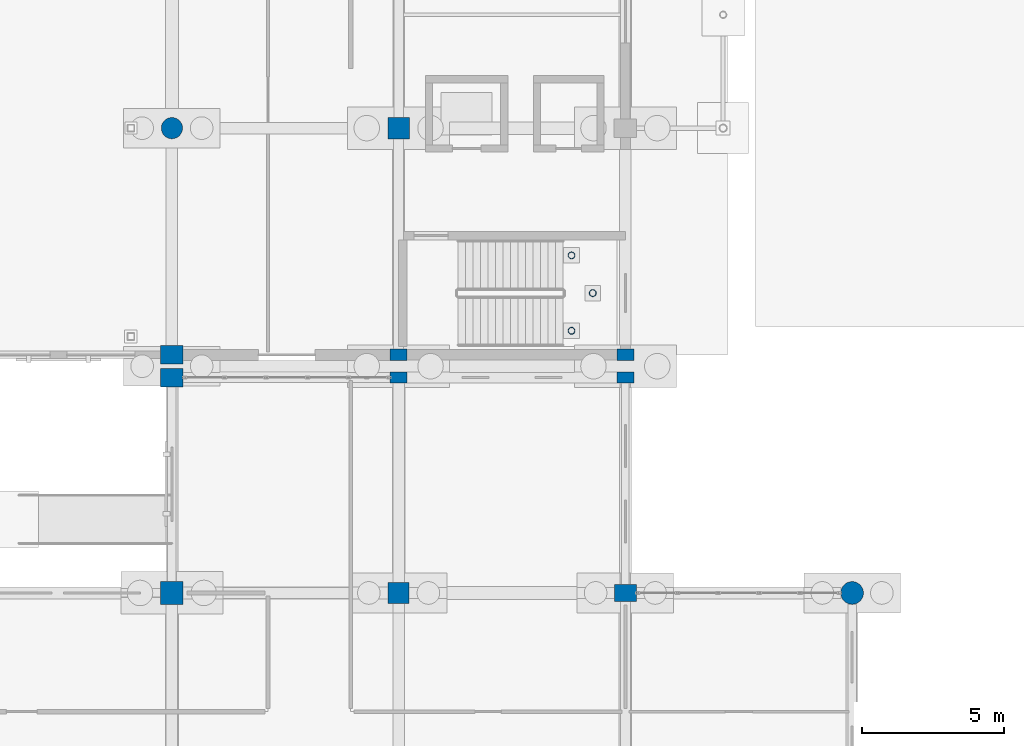
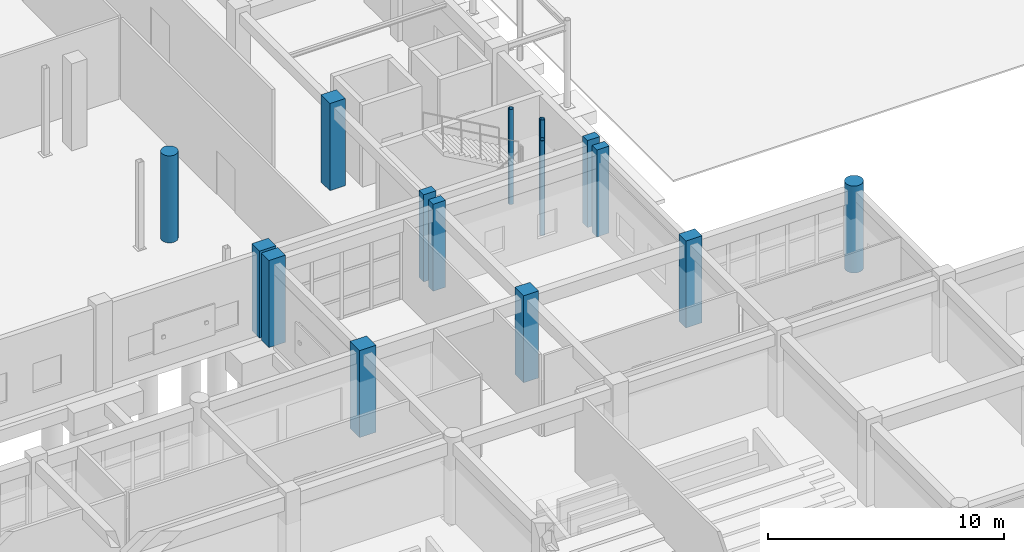
# One storey, part 18 of 166: 15 columns.
"""IFC4 building model written with IfcOpenShell, lengths in metres."""

from ifc_helpers import new_model, si_unit, direction, frame, origin, origin_2d, place, context, subcontext, project, spatial, rectangle, circle, hollow_circle, extrude, material, material_profile, profile_set, type_object, element, save


model = new_model("IFC4")

# Units and contexts
model_context = context("Model", 3, precision=1e-05, world=origin(), true_north=direction((0.0, 1.0)))
body_context = subcontext(model_context, "Body", "Model", "MODEL_VIEW")
ifc_project = project(units=[si_unit("LENGTHUNIT", "METRE"), si_unit("AREAUNIT", "SQUARE_METRE"), si_unit("VOLUMEUNIT", "CUBIC_METRE"), si_unit("PLANEANGLEUNIT", "RADIAN"), si_unit("MASSUNIT", "GRAM", prefix="KILO")], contexts=[model_context])

# Site, building, storey
site_placement = place(None, origin())
site = spatial("IfcSite", under=ifc_project, at=site_placement, CompositionType="ELEMENT")
building_placement = place(site_placement, origin())
building = spatial("IfcBuilding", under=site, at=building_placement, Name="Kharva Crest Polytechnic", CompositionType="ELEMENT")
storey_placement = place(building_placement, origin())
storey = spatial("IfcBuildingStorey", under=building, at=storey_placement, Name="L00", CompositionType="ELEMENT", Elevation=0.0)

# Columns
ifc_material_1 = material(Name="Concrete C40/50", Category="concrete")
ifc_material_profile_1 = material_profile(ifc_material_1, rectangle(XDim=0.60009765625, YDim=0.39990234375, at=origin_2d()), Name="RECT 600 X 400")
ifc_profile_set_1 = profile_set([ifc_material_profile_1], Name="Concrete C40/50")
column_type_1 = type_object("IfcColumnType", Name="COL-EXT-600X400", PredefinedType="COLUMN", material=ifc_profile_set_1)
for number, where, z_axis, x_axis, name in (
    (1, (40.0, 38.0, 0.0), (0.0, 0.0, 1.0), (1.0, 0.0, 0.0), "L00 Column 6/F"),
    (2, (40.0, 38.800048828125, 0.0), (0.0, 0.0, 1.0), (1.0, 0.0, 0.0), "L00 Column 6/FJ"),
    (3, (48.0, 38.0, 0.0), (0.0, 0.0, 1.0), (1.0, 0.0, 0.0), "L00 Column 7/F"),
    (4, (48.0, 38.800048828125, 0.0), (0.0, 0.0, 1.0), (1.0, 0.0, 0.0), "L00 Column 7/FJ"),
):
    element("IfcColumn", number, at=place(storey_placement, frame(where, z_axis=z_axis, x_axis=x_axis)), inside=storey, type_object=column_type_1, Name=name, PredefinedType="COLUMN", context=body_context, shape_type="SweptSolid", body=[
        extrude(rectangle(XDim=0.60009765625, YDim=0.39990234375, at=origin_2d()), origin(), (0.0, 0.0, 1.0), 4.5),
    ])
ifc_material_profile_2 = material_profile(ifc_material_1, rectangle(XDim=0.780029296875, YDim=0.60009765625, at=origin_2d()), Name="RECT 780 X 600")
ifc_profile_set_2 = profile_set([ifc_material_profile_2], Name="Concrete C40/50")
column_type_2 = type_object("IfcColumnType", Name="COL-EXT-780X600", PredefinedType="COLUMN", material=ifc_profile_set_2)
column_1_placement = place(storey_placement, frame((48.0, 30.39990234375, 0.0), z_axis=(0.0, 0.0, 1.0), x_axis=(1.0, 0.0, 0.0)))
element("IfcColumn", 5, at=column_1_placement, inside=storey, type_object=column_type_2, Name="L00 Column 7/E", PredefinedType="COLUMN", context=body_context, shape_type="SweptSolid", body=[
    extrude(rectangle(XDim=0.780029296875, YDim=0.60009765625, at=origin_2d()), origin(), (0.0, 0.0, 1.0), 4.5),
])
ifc_material_profile_3 = material_profile(ifc_material_1, rectangle(XDim=0.800048828125, YDim=0.64990234375, at=origin_2d()), Name="RECT 800 X 650")
ifc_profile_set_3 = profile_set([ifc_material_profile_3], Name="Concrete C40/50")
column_type_3 = type_object("IfcColumnType", Name="COL-EXT-800X650", PredefinedType="COLUMN", material=ifc_profile_set_3)
for number, where, z_axis, x_axis, name in (
    (6, (32.0, 38.0, 0.0), (0.0, 0.0, 1.0), (1.0, 0.0, 0.0), "L00 Column 5/F"),
    (7, (32.0, 38.800048828125, 0.0), (0.0, 0.0, 1.0), (1.0, 0.0, 0.0), "L00 Column 5/FJ"),
):
    element("IfcColumn", number, at=place(storey_placement, frame(where, z_axis=z_axis, x_axis=x_axis)), inside=storey, type_object=column_type_3, Name=name, PredefinedType="COLUMN", context=body_context, shape_type="SweptSolid", body=[
        extrude(rectangle(XDim=0.800048828125, YDim=0.64990234375, at=origin_2d()), origin(), (0.0, 0.0, 1.0), 4.5),
    ])
ifc_material_profile_4 = material_profile(ifc_material_1, rectangle(XDim=0.800048828125, YDim=0.800048828125, at=origin_2d()), Name="RECT 800 X 800")
ifc_profile_set_4 = profile_set([ifc_material_profile_4], Name="Concrete C40/50")
column_type_4 = type_object("IfcColumnType", Name="COL-EXT-800X800", PredefinedType="COLUMN", material=ifc_profile_set_4)
column_2_placement = place(storey_placement, frame((32.0, 30.39990234375, 0.0), z_axis=(0.0, 0.0, 1.0), x_axis=(1.0, 0.0, 0.0)))
element("IfcColumn", 8, at=column_2_placement, inside=storey, type_object=column_type_4, Name="L00 Column 5/E", PredefinedType="COLUMN", context=body_context, shape_type="SweptSolid", body=[
    extrude(rectangle(XDim=0.800048828125, YDim=0.800048828125, at=origin_2d()), origin(), (0.0, 0.0, 1.0), 4.5),
])
ifc_material_profile_5 = material_profile(ifc_material_1, circle(Radius=0.39990234375, at=origin_2d()), Name="DIA 800")
ifc_profile_set_5 = profile_set([ifc_material_profile_5], Name="Concrete C40/50")
column_type_5 = type_object("IfcColumnType", Name="COL-EXT-DIA800", PredefinedType="COLUMN", material=ifc_profile_set_5)
column_3_placement = place(storey_placement, frame((56.0, 30.39990234375, 0.0), z_axis=(0.0, 0.0, 1.0), x_axis=(1.0, 0.0, 0.0)))
element("IfcColumn", 9, at=column_3_placement, inside=storey, type_object=column_type_5, Name="L00 Column 8/E", PredefinedType="COLUMN", context=body_context, shape_type="SweptSolid", body=[
    extrude(circle(Radius=0.39990234375, at=origin_2d()), origin(), (0.0, 0.0, 1.0), 4.5),
])
ifc_material_profile_6 = material_profile(ifc_material_1, rectangle(XDim=0.739990234375, YDim=0.739990234375, at=origin_2d()), Name="RECT 740 X 740")
ifc_profile_set_6 = profile_set([ifc_material_profile_6], Name="Concrete C40/50")
column_type_6 = type_object("IfcColumnType", Name="COL-INT-740X740", PredefinedType="COLUMN", material=ifc_profile_set_6)
column_4_placement = place(storey_placement, frame((40.0, 30.39990234375, 0.0), z_axis=(0.0, 0.0, 1.0), x_axis=(1.0, 0.0, 0.0)))
element("IfcColumn", 10, at=column_4_placement, inside=storey, type_object=column_type_6, Name="L00 Column 6/E", PredefinedType="COLUMN", context=body_context, shape_type="SweptSolid", body=[
    extrude(rectangle(XDim=0.739990234375, YDim=0.739990234375, at=origin_2d()), origin(), (0.0, 0.0, 1.0), 4.5),
])
ifc_material_profile_7 = material_profile(ifc_material_1, rectangle(XDim=0.760009765625, YDim=0.760009765625, at=origin_2d()), Name="RECT 760 X 760")
ifc_profile_set_7 = profile_set([ifc_material_profile_7], Name="Concrete C40/50")
column_type_7 = type_object("IfcColumnType", Name="COL-INT-760X760", PredefinedType="COLUMN", material=ifc_profile_set_7)
column_5_placement = place(storey_placement, frame((40.0, 46.800048828125, 0.0), z_axis=(0.0, 0.0, 1.0), x_axis=(1.0, 0.0, 0.0)))
element("IfcColumn", 11, at=column_5_placement, inside=storey, type_object=column_type_7, Name="L00 Column 6/G", PredefinedType="COLUMN", context=body_context, shape_type="SweptSolid", body=[
    extrude(rectangle(XDim=0.760009765625, YDim=0.760009765625, at=origin_2d()), origin(), (0.0, 0.0, 1.0), 4.5),
])
ifc_material_profile_8 = material_profile(ifc_material_1, circle(Radius=0.375, at=origin_2d()), Name="DIA 750")
ifc_profile_set_8 = profile_set([ifc_material_profile_8], Name="Concrete C40/50")
column_type_8 = type_object("IfcColumnType", Name="COL-INT-DIA750", PredefinedType="COLUMN", material=ifc_profile_set_8)
column_6_placement = place(storey_placement, frame((32.0, 46.800048828125, 0.0), z_axis=(0.0, 0.0, 1.0), x_axis=(1.0, 0.0, 0.0)))
element("IfcColumn", 12, at=column_6_placement, inside=storey, type_object=column_type_8, Name="L00 Column 5/G", PredefinedType="COLUMN", context=body_context, shape_type="SweptSolid", body=[
    extrude(circle(Radius=0.375, at=origin_2d()), origin(), (0.0, 0.0, 1.0), 4.5),
])
ifc_material_2 = material(Name="Steel S355", Category="steel")
ifc_material_profile_9 = material_profile(ifc_material_2, hollow_circle(Radius=0.122314453125, WallThickness=0.010009765625, at=origin_2d()), Name="CHS 244.5X10.0")
ifc_profile_set_9 = profile_set([ifc_material_profile_9], Name="Steel S355")
column_type_9 = type_object("IfcColumnType", Name="COL-STL-CHS244", PredefinedType="COLUMN", material=ifc_profile_set_9)
for number, where, z_axis, x_axis, name in (
    (13, (46.10009765625, 39.64990234375, -0.405029296875), (0.0, 0.0, 1.0), (1.0, 0.0, 0.0), "L00 Stair ST-02 Landing Support Column SW"),
    (14, (46.10009765625, 42.31005859375, -0.405029296875), (0.0, 0.0, 1.0), (1.0, 0.0, 0.0), "L00 Stair ST-02 Landing Support Column NW"),
    (15, (46.85009765625, 40.97998046875, -0.405029296875), (0.0, 0.0, 1.0), (1.0, 0.0, 0.0), "L00 Stair ST-02 Landing Support Column EM"),
):
    element("IfcColumn", number, at=place(storey_placement, frame(where, z_axis=z_axis, x_axis=x_axis)), inside=storey, type_object=column_type_9, Name=name, PredefinedType="COLUMN", context=body_context, shape_type="SweptSolid", body=[
        extrude(hollow_circle(Radius=0.122314453125, WallThickness=0.010009765625, at=origin_2d()), origin(), (0.0, 0.0, 1.0), 4.905029296875),
    ])

save(model, "model.ifc")
